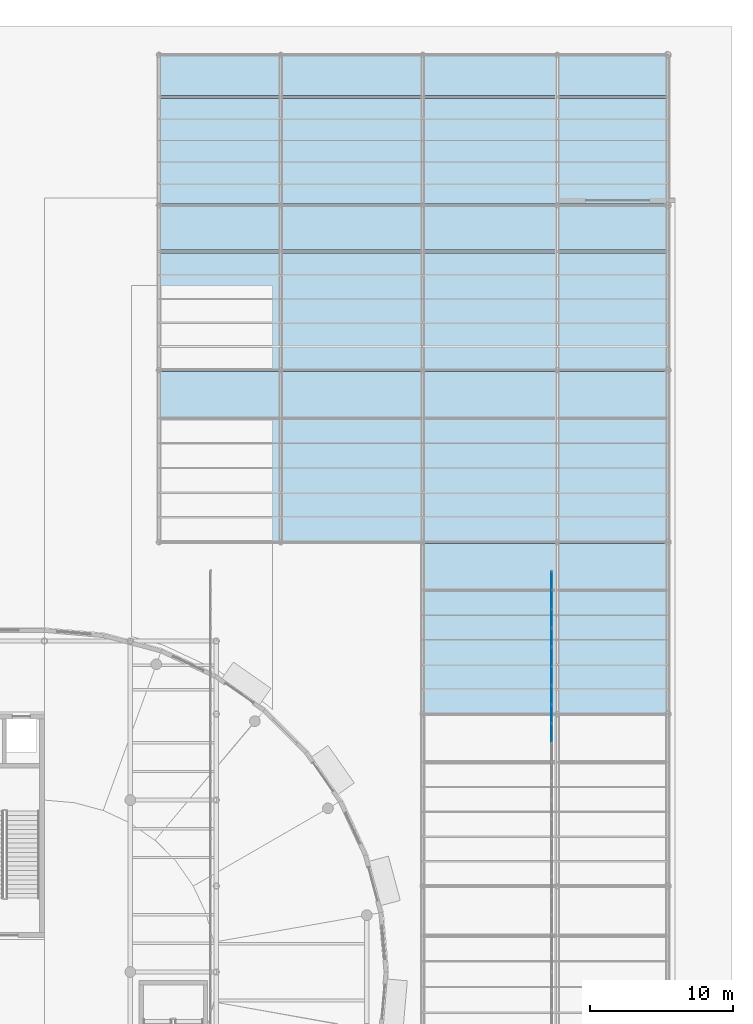
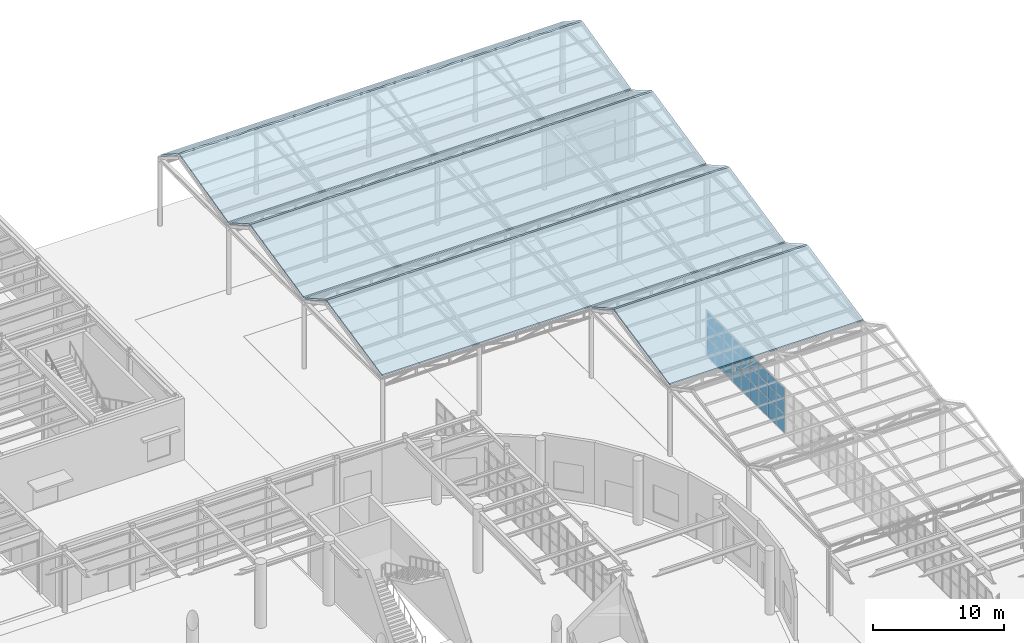
# One storey, part 82 of 118: 27 plates, 8 slabs, 3 elements without a shape of their own.
"""IFC4 building model written with IfcOpenShell, lengths in metres."""

from ifc_helpers import new_model, si_unit, direction, frame, origin, origin_2d, place, context, subcontext, project, spatial, polyline, rectangle, outline, extrude, material, layer, layer_set, type_object, element, aggregate, save


model = new_model("IFC4")

# Units and contexts
model_context = context("Model", 3, precision=1e-05, world=origin(), true_north=direction((0.0, 1.0)))
body_context = subcontext(model_context, "Body", "Model", "MODEL_VIEW")
ifc_project = project(units=[si_unit("LENGTHUNIT", "METRE"), si_unit("AREAUNIT", "SQUARE_METRE"), si_unit("VOLUMEUNIT", "CUBIC_METRE"), si_unit("PLANEANGLEUNIT", "RADIAN"), si_unit("MASSUNIT", "GRAM", prefix="KILO")], contexts=[model_context])

# Site, building, storey
site_placement = place(None, origin())
site = spatial("IfcSite", under=ifc_project, at=site_placement, CompositionType="ELEMENT")
building_placement = place(site_placement, origin())
building = spatial("IfcBuilding", under=site, at=building_placement, Name="Kolvaren Corner Interchange", CompositionType="ELEMENT")
storey_placement = place(building_placement, origin())
storey = spatial("IfcBuildingStorey", under=building, at=storey_placement, Name="L01", CompositionType="ELEMENT", Elevation=0.0)

# Curtain wall, plates
ifc_material_1 = material(Name="Unitised Aluminium and Solar-Control Glass Curtain Wall", Category="aluminium")
curtain_wall_type = type_object("IfcCurtainWallType", Name="CW-V4-BOARD", PredefinedType="NOTDEFINED", material=ifc_material_1)
curtain_wall_1_placement = place(storey_placement, origin())
curtain_wall_1 = element("IfcCurtainWall", 1, at=curtain_wall_1_placement, inside=storey, type_object=curtain_wall_type, Name="Bus Island East Boarding Curtain Wall Bay 10", PredefinedType="NOTDEFINED")
ifc_material_2 = material(Name="Low-E Solar-Control Laminated Glass", Category="glass")
ifc_layer_1 = layer(ifc_material_2, 0.035888671875)
ifc_layer_set_1 = layer_set([ifc_layer_1], Name="Low-E Solar-Control Laminated Glass")
plate_type = type_object("IfcPlateType", Name="PLT-CW-GL32", PredefinedType="CURTAIN_PANEL", material=ifc_layer_set_1)
plate_1_placement = place(storey_placement, frame((155.39990234375, 64.681640625, 0.05517578125), z_axis=(0.0, 0.0, 1.0), x_axis=(0.0, 1.0, 0.0)))
plate_1 = element("IfcPlate", 2, at=plate_1_placement, type_object=plate_type, Name="CW-147 panel 1.1", PredefinedType="CURTAIN_PANEL", context=body_context, shape_type="SweptSolid", body=[
    extrude(rectangle(XDim=1.243408203125, YDim=0.035888671875, at=origin_2d()), origin(), (0.0, 0.0, 1.0), 1.717529296875),
])
plate_2_placement = place(storey_placement, frame((155.39990234375, 64.681640625, 1.827392578125), z_axis=(0.0, 0.0, 1.0), x_axis=(0.0, 1.0, 0.0)))
plate_2 = element("IfcPlate", 3, at=plate_2_placement, type_object=plate_type, Name="CW-147 panel 1.2", PredefinedType="CURTAIN_PANEL", context=body_context, shape_type="SweptSolid", body=[
    extrude(rectangle(XDim=1.243408203125, YDim=0.035888671875, at=origin_2d()), origin(), (0.0, 0.0, 1.0), 1.2451171875),
])
plate_3_placement = place(storey_placement, frame((155.39990234375, 64.681640625, 3.12744140625), z_axis=(0.0, 0.0, 1.0), x_axis=(0.0, 1.0, 0.0)))
plate_3 = element("IfcPlate", 4, at=plate_3_placement, type_object=plate_type, Name="CW-147 panel 1.3", PredefinedType="CURTAIN_PANEL", context=body_context, shape_type="SweptSolid", body=[
    extrude(rectangle(XDim=1.243408203125, YDim=0.035888671875, at=origin_2d()), origin(), (0.0, 0.0, 1.0), 1.117431640625),
])
plate_4_placement = place(storey_placement, frame((155.39990234375, 66.0, 0.05517578125), z_axis=(0.0, 0.0, 1.0), x_axis=(0.0, 1.0, 0.0)))
plate_4 = element("IfcPlate", 5, at=plate_4_placement, type_object=plate_type, Name="CW-147 panel 2.1", PredefinedType="CURTAIN_PANEL", context=body_context, shape_type="SweptSolid", body=[
    extrude(rectangle(XDim=1.2734375, YDim=0.035888671875, at=origin_2d()), origin(), (0.0, 0.0, 1.0), 1.717529296875),
])
plate_5_placement = place(storey_placement, frame((155.39990234375, 66.0, 1.827392578125), z_axis=(0.0, 0.0, 1.0), x_axis=(0.0, 1.0, 0.0)))
plate_5 = element("IfcPlate", 6, at=plate_5_placement, type_object=plate_type, Name="CW-147 panel 2.2", PredefinedType="CURTAIN_PANEL", context=body_context, shape_type="SweptSolid", body=[
    extrude(rectangle(XDim=1.2734375, YDim=0.035888671875, at=origin_2d()), origin(), (0.0, 0.0, 1.0), 1.2451171875),
])
plate_6_placement = place(storey_placement, frame((155.39990234375, 66.0, 3.12744140625), z_axis=(0.0, 0.0, 1.0), x_axis=(0.0, 1.0, 0.0)))
plate_6 = element("IfcPlate", 7, at=plate_6_placement, type_object=plate_type, Name="CW-147 panel 2.3", PredefinedType="CURTAIN_PANEL", context=body_context, shape_type="SweptSolid", body=[
    extrude(rectangle(XDim=1.2734375, YDim=0.035888671875, at=origin_2d()), origin(), (0.0, 0.0, 1.0), 1.117431640625),
])
plate_7_placement = place(storey_placement, frame((155.39990234375, 67.318359375, 0.05517578125), z_axis=(0.0, 0.0, 1.0), x_axis=(0.0, 1.0, 0.0)))
plate_7 = element("IfcPlate", 8, at=plate_7_placement, type_object=plate_type, Name="CW-147 panel 3.1", PredefinedType="CURTAIN_PANEL", context=body_context, shape_type="SweptSolid", body=[
    extrude(rectangle(XDim=1.243408203125, YDim=0.035888671875, at=origin_2d()), origin(), (0.0, 0.0, 1.0), 1.717529296875),
])
plate_8_placement = place(storey_placement, frame((155.39990234375, 67.318359375, 1.827392578125), z_axis=(0.0, 0.0, 1.0), x_axis=(0.0, 1.0, 0.0)))
plate_8 = element("IfcPlate", 9, at=plate_8_placement, type_object=plate_type, Name="CW-147 panel 3.2", PredefinedType="CURTAIN_PANEL", context=body_context, shape_type="SweptSolid", body=[
    extrude(rectangle(XDim=1.243408203125, YDim=0.035888671875, at=origin_2d()), origin(), (0.0, 0.0, 1.0), 1.2451171875),
])
plate_9_placement = place(storey_placement, frame((155.39990234375, 67.318359375, 3.12744140625), z_axis=(0.0, 0.0, 1.0), x_axis=(0.0, 1.0, 0.0)))
plate_9 = element("IfcPlate", 10, at=plate_9_placement, type_object=plate_type, Name="CW-147 panel 3.3", PredefinedType="CURTAIN_PANEL", context=body_context, shape_type="SweptSolid", body=[
    extrude(rectangle(XDim=1.243408203125, YDim=0.035888671875, at=origin_2d()), origin(), (0.0, 0.0, 1.0), 1.117431640625),
])
aggregate(curtain_wall_1, [plate_1, plate_2, plate_3, plate_4, plate_5, plate_6, plate_7, plate_8, plate_9])

curtain_wall_2_placement = place(storey_placement, origin())
curtain_wall_2 = element("IfcCurtainWall", 11, at=curtain_wall_2_placement, inside=storey, type_object=curtain_wall_type, Name="Bus Island East Boarding Curtain Wall Bay 11", PredefinedType="NOTDEFINED")
plate_10_placement = place(storey_placement, frame((155.39990234375, 68.681640625, 0.05517578125), z_axis=(0.0, 0.0, 1.0), x_axis=(0.0, 1.0, 0.0)))
plate_10 = element("IfcPlate", 12, at=plate_10_placement, type_object=plate_type, Name="CW-148 panel 1.1", PredefinedType="CURTAIN_PANEL", context=body_context, shape_type="SweptSolid", body=[
    extrude(rectangle(XDim=1.243408203125, YDim=0.035888671875, at=origin_2d()), origin(), (0.0, 0.0, 1.0), 1.717529296875),
])
plate_11_placement = place(storey_placement, frame((155.39990234375, 68.681640625, 1.827392578125), z_axis=(0.0, 0.0, 1.0), x_axis=(0.0, 1.0, 0.0)))
plate_11 = element("IfcPlate", 13, at=plate_11_placement, type_object=plate_type, Name="CW-148 panel 1.2", PredefinedType="CURTAIN_PANEL", context=body_context, shape_type="SweptSolid", body=[
    extrude(rectangle(XDim=1.243408203125, YDim=0.035888671875, at=origin_2d()), origin(), (0.0, 0.0, 1.0), 1.2451171875),
])
plate_12_placement = place(storey_placement, frame((155.39990234375, 68.681640625, 3.12744140625), z_axis=(0.0, 0.0, 1.0), x_axis=(0.0, 1.0, 0.0)))
plate_12 = element("IfcPlate", 14, at=plate_12_placement, type_object=plate_type, Name="CW-148 panel 1.3", PredefinedType="CURTAIN_PANEL", context=body_context, shape_type="SweptSolid", body=[
    extrude(rectangle(XDim=1.243408203125, YDim=0.035888671875, at=origin_2d()), origin(), (0.0, 0.0, 1.0), 1.117431640625),
])
plate_13_placement = place(storey_placement, frame((155.39990234375, 70.0, 0.05517578125), z_axis=(0.0, 0.0, 1.0), x_axis=(0.0, 1.0, 0.0)))
plate_13 = element("IfcPlate", 15, at=plate_13_placement, type_object=plate_type, Name="CW-148 panel 2.1", PredefinedType="CURTAIN_PANEL", context=body_context, shape_type="SweptSolid", body=[
    extrude(rectangle(XDim=1.2734375, YDim=0.035888671875, at=origin_2d()), origin(), (0.0, 0.0, 1.0), 1.717529296875),
])
plate_14_placement = place(storey_placement, frame((155.39990234375, 70.0, 1.827392578125), z_axis=(0.0, 0.0, 1.0), x_axis=(0.0, 1.0, 0.0)))
plate_14 = element("IfcPlate", 16, at=plate_14_placement, type_object=plate_type, Name="CW-148 panel 2.2", PredefinedType="CURTAIN_PANEL", context=body_context, shape_type="SweptSolid", body=[
    extrude(rectangle(XDim=1.2734375, YDim=0.035888671875, at=origin_2d()), origin(), (0.0, 0.0, 1.0), 1.2451171875),
])
plate_15_placement = place(storey_placement, frame((155.39990234375, 70.0, 3.12744140625), z_axis=(0.0, 0.0, 1.0), x_axis=(0.0, 1.0, 0.0)))
plate_15 = element("IfcPlate", 17, at=plate_15_placement, type_object=plate_type, Name="CW-148 panel 2.3", PredefinedType="CURTAIN_PANEL", context=body_context, shape_type="SweptSolid", body=[
    extrude(rectangle(XDim=1.2734375, YDim=0.035888671875, at=origin_2d()), origin(), (0.0, 0.0, 1.0), 1.117431640625),
])
plate_16_placement = place(storey_placement, frame((155.39990234375, 71.318359375, 0.05517578125), z_axis=(0.0, 0.0, 1.0), x_axis=(0.0, 1.0, 0.0)))
plate_16 = element("IfcPlate", 18, at=plate_16_placement, type_object=plate_type, Name="CW-148 panel 3.1", PredefinedType="CURTAIN_PANEL", context=body_context, shape_type="SweptSolid", body=[
    extrude(rectangle(XDim=1.243408203125, YDim=0.035888671875, at=origin_2d()), origin(), (0.0, 0.0, 1.0), 1.717529296875),
])
plate_17_placement = place(storey_placement, frame((155.39990234375, 71.318359375, 1.827392578125), z_axis=(0.0, 0.0, 1.0), x_axis=(0.0, 1.0, 0.0)))
plate_17 = element("IfcPlate", 19, at=plate_17_placement, type_object=plate_type, Name="CW-148 panel 3.2", PredefinedType="CURTAIN_PANEL", context=body_context, shape_type="SweptSolid", body=[
    extrude(rectangle(XDim=1.243408203125, YDim=0.035888671875, at=origin_2d()), origin(), (0.0, 0.0, 1.0), 1.2451171875),
])
plate_18_placement = place(storey_placement, frame((155.39990234375, 71.318359375, 3.12744140625), z_axis=(0.0, 0.0, 1.0), x_axis=(0.0, 1.0, 0.0)))
plate_18 = element("IfcPlate", 20, at=plate_18_placement, type_object=plate_type, Name="CW-148 panel 3.3", PredefinedType="CURTAIN_PANEL", context=body_context, shape_type="SweptSolid", body=[
    extrude(rectangle(XDim=1.243408203125, YDim=0.035888671875, at=origin_2d()), origin(), (0.0, 0.0, 1.0), 1.117431640625),
])
aggregate(curtain_wall_2, [plate_10, plate_11, plate_12, plate_13, plate_14, plate_15, plate_16, plate_17, plate_18])

curtain_wall_3_placement = place(storey_placement, origin())
curtain_wall_3 = element("IfcCurtainWall", 21, at=curtain_wall_3_placement, inside=storey, type_object=curtain_wall_type, Name="Bus Island East Boarding Curtain Wall Bay 12", PredefinedType="NOTDEFINED")
plate_19_placement = place(storey_placement, frame((155.39990234375, 72.681640625, 0.05517578125), z_axis=(0.0, 0.0, 1.0), x_axis=(0.0, 1.0, 0.0)))
plate_19 = element("IfcPlate", 22, at=plate_19_placement, type_object=plate_type, Name="CW-149 panel 1.1", PredefinedType="CURTAIN_PANEL", context=body_context, shape_type="SweptSolid", body=[
    extrude(rectangle(XDim=1.243408203125, YDim=0.035888671875, at=origin_2d()), origin(), (0.0, 0.0, 1.0), 1.717529296875),
])
plate_20_placement = place(storey_placement, frame((155.39990234375, 72.681640625, 1.827392578125), z_axis=(0.0, 0.0, 1.0), x_axis=(0.0, 1.0, 0.0)))
plate_20 = element("IfcPlate", 23, at=plate_20_placement, type_object=plate_type, Name="CW-149 panel 1.2", PredefinedType="CURTAIN_PANEL", context=body_context, shape_type="SweptSolid", body=[
    extrude(rectangle(XDim=1.243408203125, YDim=0.035888671875, at=origin_2d()), origin(), (0.0, 0.0, 1.0), 1.2451171875),
])
plate_21_placement = place(storey_placement, frame((155.39990234375, 72.681640625, 3.12744140625), z_axis=(0.0, 0.0, 1.0), x_axis=(0.0, 1.0, 0.0)))
plate_21 = element("IfcPlate", 24, at=plate_21_placement, type_object=plate_type, Name="CW-149 panel 1.3", PredefinedType="CURTAIN_PANEL", context=body_context, shape_type="SweptSolid", body=[
    extrude(rectangle(XDim=1.243408203125, YDim=0.035888671875, at=origin_2d()), origin(), (0.0, 0.0, 1.0), 1.117431640625),
])
plate_22_placement = place(storey_placement, frame((155.39990234375, 74.0, 0.05517578125), z_axis=(0.0, 0.0, 1.0), x_axis=(0.0, 1.0, 0.0)))
plate_22 = element("IfcPlate", 25, at=plate_22_placement, type_object=plate_type, Name="CW-149 panel 2.1", PredefinedType="CURTAIN_PANEL", context=body_context, shape_type="SweptSolid", body=[
    extrude(rectangle(XDim=1.2734375, YDim=0.035888671875, at=origin_2d()), origin(), (0.0, 0.0, 1.0), 1.717529296875),
])
plate_23_placement = place(storey_placement, frame((155.39990234375, 74.0, 1.827392578125), z_axis=(0.0, 0.0, 1.0), x_axis=(0.0, 1.0, 0.0)))
plate_23 = element("IfcPlate", 26, at=plate_23_placement, type_object=plate_type, Name="CW-149 panel 2.2", PredefinedType="CURTAIN_PANEL", context=body_context, shape_type="SweptSolid", body=[
    extrude(rectangle(XDim=1.2734375, YDim=0.035888671875, at=origin_2d()), origin(), (0.0, 0.0, 1.0), 1.2451171875),
])
plate_24_placement = place(storey_placement, frame((155.39990234375, 74.0, 3.12744140625), z_axis=(0.0, 0.0, 1.0), x_axis=(0.0, 1.0, 0.0)))
plate_24 = element("IfcPlate", 27, at=plate_24_placement, type_object=plate_type, Name="CW-149 panel 2.3", PredefinedType="CURTAIN_PANEL", context=body_context, shape_type="SweptSolid", body=[
    extrude(rectangle(XDim=1.2734375, YDim=0.035888671875, at=origin_2d()), origin(), (0.0, 0.0, 1.0), 1.117431640625),
])
plate_25_placement = place(storey_placement, frame((155.39990234375, 75.318359375, 0.05517578125), z_axis=(0.0, 0.0, 1.0), x_axis=(0.0, 1.0, 0.0)))
plate_25 = element("IfcPlate", 28, at=plate_25_placement, type_object=plate_type, Name="CW-149 panel 3.1", PredefinedType="CURTAIN_PANEL", context=body_context, shape_type="SweptSolid", body=[
    extrude(rectangle(XDim=1.243408203125, YDim=0.035888671875, at=origin_2d()), origin(), (0.0, 0.0, 1.0), 1.717529296875),
])
plate_26_placement = place(storey_placement, frame((155.39990234375, 75.318359375, 1.827392578125), z_axis=(0.0, 0.0, 1.0), x_axis=(0.0, 1.0, 0.0)))
plate_26 = element("IfcPlate", 29, at=plate_26_placement, type_object=plate_type, Name="CW-149 panel 3.2", PredefinedType="CURTAIN_PANEL", context=body_context, shape_type="SweptSolid", body=[
    extrude(rectangle(XDim=1.243408203125, YDim=0.035888671875, at=origin_2d()), origin(), (0.0, 0.0, 1.0), 1.2451171875),
])
plate_27_placement = place(storey_placement, frame((155.39990234375, 75.318359375, 3.12744140625), z_axis=(0.0, 0.0, 1.0), x_axis=(0.0, 1.0, 0.0)))
plate_27 = element("IfcPlate", 30, at=plate_27_placement, type_object=plate_type, Name="CW-149 panel 3.3", PredefinedType="CURTAIN_PANEL", context=body_context, shape_type="SweptSolid", body=[
    extrude(rectangle(XDim=1.243408203125, YDim=0.035888671875, at=origin_2d()), origin(), (0.0, 0.0, 1.0), 1.117431640625),
])
aggregate(curtain_wall_3, [plate_19, plate_20, plate_21, plate_22, plate_23, plate_24, plate_25, plate_26, plate_27])

# Slabs
ifc_material_3 = material(Name="Acoustic Metal Deck Concrete C35/45", Category="concrete")
ifc_layer_2 = layer(ifc_material_3, 0.159912109375)
ifc_layer_set_2 = layer_set([ifc_layer_2], Name="Acoustic Metal Deck Concrete C35/45")
slab_type = type_object("IfcSlabType", Name="SL-CANOPY-160", PredefinedType="ROOF", material=ifc_layer_set_2)
slab_1_placement = place(storey_placement, frame((146.39990234375, 66.090087890625, 6.60009765625), z_axis=(0.0, -0.208107644465, 0.978105928985), x_axis=(1.0, 0.0, 0.0)))
element("IfcSlab", 31, at=slab_1_placement, inside=storey, type_object=slab_type, Name="Bus Canopy Sawtooth South Pitched Roof Deck 03", PredefinedType="ROOF", context=body_context, shape_type="SweptSolid", body=[
    extrude(outline(polyline([(0.0, 0.0), (17.1, 0.0), (17.1, 8.64937), (0.0, 8.64937), (0.0, 0.0)])), origin(), (0.0, 0.0, -1.0), 0.159912109375),
])
slab_2_placement = place(storey_placement, frame((146.39990234375, 74.72998046875, 8.39990234375), z_axis=(0.0, 0.492598219852, 0.870256855071), x_axis=(1.0, 0.0, 0.0)))
element("IfcSlab", 32, at=slab_2_placement, inside=storey, type_object=slab_type, Name="Bus Canopy Sawtooth North Return Roof Deck 03", PredefinedType="ROOF", context=body_context, shape_type="SweptSolid", body=[
    extrude(outline(polyline([(0.0, 0.0), (17.1, 0.0), (17.1, 3.65409), (0.0, 3.65409), (0.0, 0.0)])), origin(), (0.0, 0.0, -1.0), 0.159912109375),
])
slab_3_placement = place(storey_placement, frame((128.0, 78.090087890625, 6.60009765625), z_axis=(0.0, -0.208107644465, 0.978105928985), x_axis=(1.0, 0.0, 0.0)))
element("IfcSlab", 33, at=slab_3_placement, inside=storey, type_object=slab_type, Name="Bus Canopy Sawtooth South Pitched Roof Deck 04", PredefinedType="ROOF", context=body_context, shape_type="SweptSolid", body=[
    extrude(outline(polyline([(0.0, 0.0), (35.5, 0.0), (35.5, 8.64937), (0.0, 8.64937), (0.0, 0.0)])), origin(), (0.0, 0.0, -1.0), 0.159912109375),
])
slab_4_placement = place(storey_placement, frame((128.0, 86.72998046875, 8.39990234375), z_axis=(0.0, 0.492598219852, 0.870256855071), x_axis=(1.0, 0.0, 0.0)))
element("IfcSlab", 34, at=slab_4_placement, inside=storey, type_object=slab_type, Name="Bus Canopy Sawtooth North Return Roof Deck 04", PredefinedType="ROOF", context=body_context, shape_type="SweptSolid", body=[
    extrude(outline(polyline([(0.0, 0.0), (35.5, 0.0), (35.5, 3.65409), (0.0, 3.65409), (0.0, 0.0)])), origin(), (0.0, 0.0, -1.0), 0.159912109375),
])
slab_5_placement = place(storey_placement, frame((128.0, 90.090087890625, 6.60009765625), z_axis=(0.0, -0.216930457819, 0.976187060184), x_axis=(1.0, 0.0, 0.0)))
element("IfcSlab", 35, at=slab_5_placement, inside=storey, type_object=slab_type, Name="Bus Canopy Sawtooth South Pitched Roof Deck 05", PredefinedType="ROOF", context=body_context, shape_type="SweptSolid", body=[
    extrude(outline(polyline([(0.0, 0.0), (35.5, 0.0), (35.5, 8.29759), (0.0, 8.29759), (0.0, 0.0)])), origin(), (0.0, 0.0, -1.0), 0.159912109375),
])
slab_6_placement = place(storey_placement, frame((128.0, 98.3701171875, 8.39990234375), z_axis=(0.0, 0.509492006668, 0.860475389039), x_axis=(1.0, 0.0, 0.0)))
element("IfcSlab", 36, at=slab_6_placement, inside=storey, type_object=slab_type, Name="Bus Canopy Sawtooth North Return Roof Deck 05", PredefinedType="ROOF", context=body_context, shape_type="SweptSolid", body=[
    extrude(outline(polyline([(0.0, 0.0), (35.5, 0.0), (35.5, 3.53293), (0.0, 3.53293), (0.0, 0.0)])), origin(), (0.0, 0.0, -1.0), 0.159912109375),
])
slab_7_placement = place(storey_placement, frame((128.0, 101.590087890625, 6.60009765625), z_axis=(0.0, -0.236956180191, 0.971520338783), x_axis=(1.0, 0.0, 0.0)))
element("IfcSlab", 37, at=slab_7_placement, inside=storey, type_object=slab_type, Name="Bus Canopy Sawtooth South Pitched Roof Deck 06", PredefinedType="ROOF", context=body_context, shape_type="SweptSolid", body=[
    extrude(outline(polyline([(0.0, 0.0), (35.5, 0.0), (35.5, 7.59634), (0.0, 7.59634), (0.0, 0.0)])), origin(), (0.0, 0.0, -1.0), 0.159912109375),
])
slab_8_placement = place(storey_placement, frame((128.0, 109.14990234375, 8.39990234375), z_axis=(0.0, 0.546267780547, 0.837610596839), x_axis=(1.0, 0.0, 0.0)))
element("IfcSlab", 38, at=slab_8_placement, inside=storey, type_object=slab_type, Name="Bus Canopy Sawtooth North Return Roof Deck 06", PredefinedType="ROOF", context=body_context, shape_type="SweptSolid", body=[
    extrude(outline(polyline([(0.0, 0.0), (35.5, 0.0), (35.5, 3.29509), (0.0, 3.29509), (0.0, 0.0)])), origin(), (0.0, 0.0, -1.0), 0.159912109375),
])

save(model, "model.ifc")
